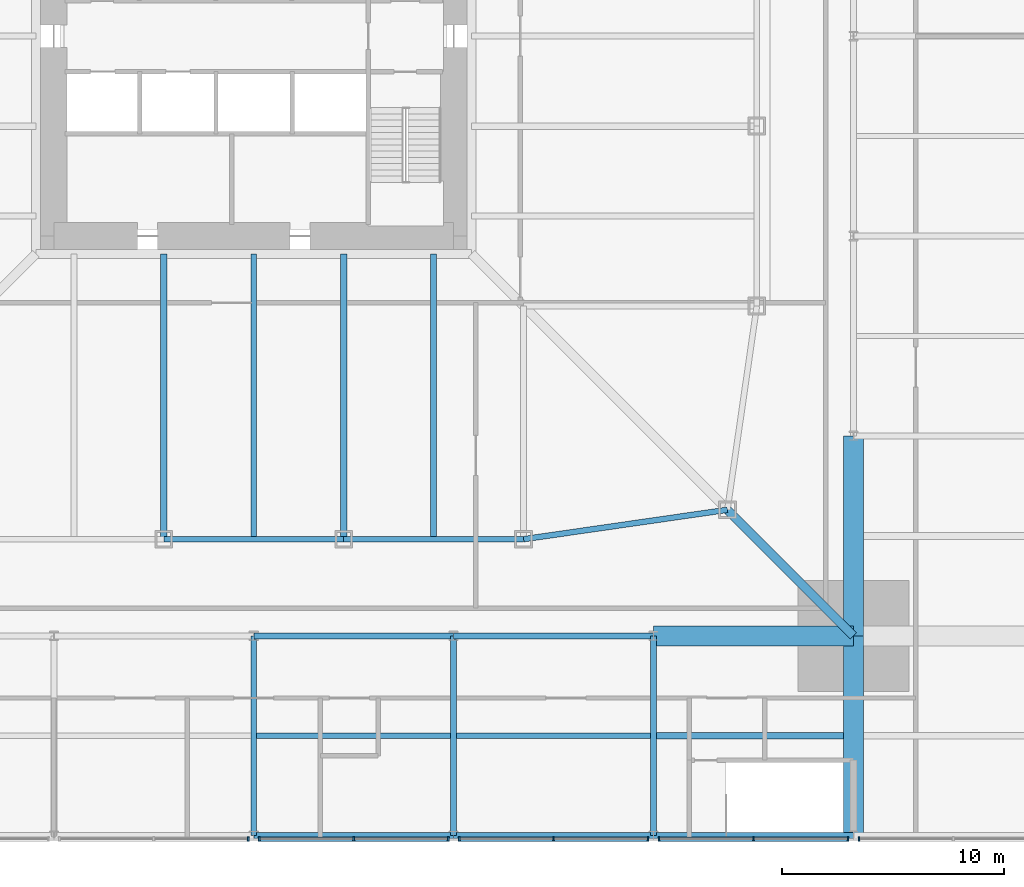
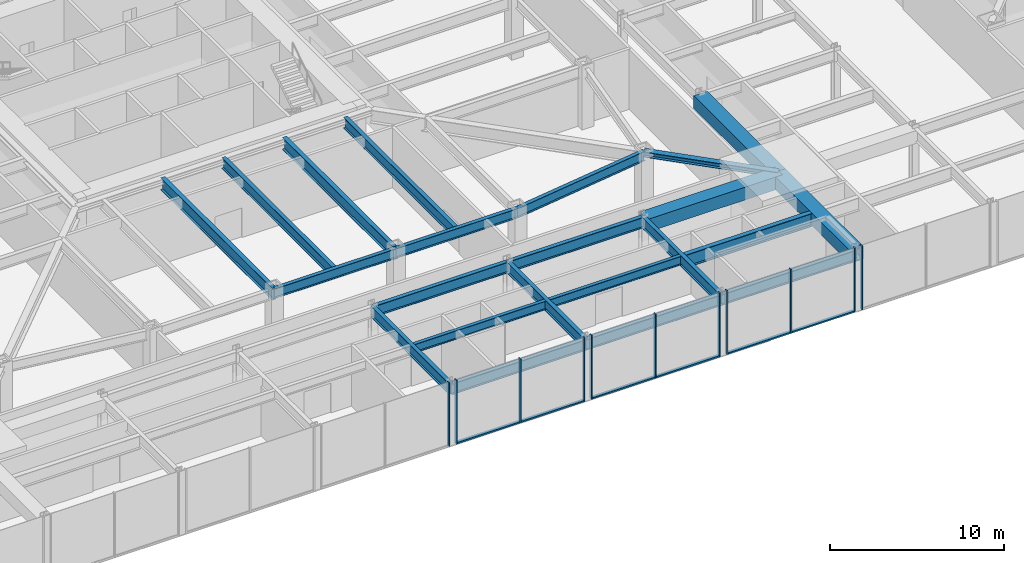
# One storey, part 8 of 30: 21 beams, 18 members, 5 elements without a shape of their own.
"""IFC4 building model written with IfcOpenShell, lengths in metres."""

from ifc_helpers import new_model, si_unit, direction, frame, origin, origin_2d, place, context, subcontext, project, spatial, rectangle, hollow_rectangle, i_section, extrude, material, material_profile, profile_set, type_object, element, aggregate, save


model = new_model("IFC4")

# Units and contexts
model_context = context("Model", 3, precision=1e-05, world=origin(), true_north=direction((0.0, 1.0)))
body_context = subcontext(model_context, "Body", "Model", "MODEL_VIEW")
ifc_project = project(units=[si_unit("LENGTHUNIT", "METRE"), si_unit("AREAUNIT", "SQUARE_METRE"), si_unit("VOLUMEUNIT", "CUBIC_METRE"), si_unit("PLANEANGLEUNIT", "RADIAN"), si_unit("MASSUNIT", "GRAM", prefix="KILO")], contexts=[model_context])

# Site, building, storey
site_placement = place(None, origin())
site = spatial("IfcSite", under=ifc_project, at=site_placement, CompositionType="ELEMENT")
building_placement = place(site_placement, origin())
building = spatial("IfcBuilding", under=site, at=building_placement, Name="Iwan Alto Co-Living Towers", CompositionType="ELEMENT")
storey_placement = place(building_placement, frame((0.0, 0.0, 10.5)))
storey = spatial("IfcBuildingStorey", under=building, at=storey_placement, Name="L02", CompositionType="ELEMENT", Elevation=10.5)

# Curtain wall, member
ifc_material_1 = material(Name="Bronze aluminium stick frame", Category="aluminium")
curtain_wall_type = type_object("IfcCurtainWallType", Name="CURTAIN WALL CW-E", PredefinedType="NOTDEFINED", material=ifc_material_1)
curtain_wall_1_placement = place(storey_placement, origin())
curtain_wall_1 = element("IfcCurtainWall", 1, at=curtain_wall_1_placement, inside=storey, type_object=curtain_wall_type, Name="Podium curtain wall S L02", PredefinedType="NOTDEFINED")
ifc_material_2 = material(Name="Aluminium 6063-T6 bronze anodised", Category="aluminium")
ifc_material_profile_1 = material_profile(ifc_material_2, rectangle(XDim=0.199951171875, YDim=0.080078125, at=origin_2d()), Name="AL 80X200")
ifc_profile_set_1 = profile_set([ifc_material_profile_1], Name="Aluminium 6063-T6 bronze anodised")
member_type_1 = type_object("IfcMemberType", Name="CW-E MULLION 80X200", PredefinedType="MULLION", material=ifc_profile_set_1)
member_1_placement = place(storey_placement, frame((-0.245849609375, -36.14990234375, 0.0), z_axis=(0.0, 0.0, 1.0), x_axis=(0.0, 1.0, 0.0)))
member_1 = element("IfcMember", 2, at=member_1_placement, type_object=member_type_1, Name="CW-E mullion 3", PredefinedType="MULLION", context=body_context, shape_type="SweptSolid", body=[
    extrude(rectangle(XDim=0.199951171875, YDim=0.080078125, at=origin_2d()), origin(), (0.0, 0.0, 1.0), 4.5),
])
aggregate(curtain_wall_1, [member_1])

# Curtain wall, members
curtain_wall_2_placement = place(storey_placement, origin())
curtain_wall_2 = element("IfcCurtainWall", 3, at=curtain_wall_2_placement, inside=storey, type_object=curtain_wall_type, Name="Podium curtain wall S L02", PredefinedType="NOTDEFINED")
member_2_placement = place(storey_placement, frame((0.245849609375, -36.14990234375, 0.0), z_axis=(0.0, 0.0, 1.0), x_axis=(0.0, 1.0, 0.0)))
member_2 = element("IfcMember", 4, at=member_2_placement, type_object=member_type_1, Name="CW-E mullion 1", PredefinedType="MULLION", context=body_context, shape_type="SweptSolid", body=[
    extrude(rectangle(XDim=0.199951171875, YDim=0.080078125, at=origin_2d()), origin(), (0.0, 0.0, 1.0), 4.5),
])
member_3_placement = place(storey_placement, frame((4.5, -36.14990234375, 0.0), z_axis=(0.0, 0.0, 1.0), x_axis=(0.0, 1.0, 0.0)))
member_3 = element("IfcMember", 5, at=member_3_placement, type_object=member_type_1, Name="CW-E mullion 2", PredefinedType="MULLION", context=body_context, shape_type="SweptSolid", body=[
    extrude(rectangle(XDim=0.199951171875, YDim=0.080078125, at=origin_2d()), origin(), (0.0, 0.0, 1.0), 4.5),
])
member_4_placement = place(storey_placement, frame((8.754150390625, -36.14990234375, 0.0), z_axis=(0.0, 0.0, 1.0), x_axis=(0.0, 1.0, 0.0)))
member_4 = element("IfcMember", 6, at=member_4_placement, type_object=member_type_1, Name="CW-E mullion 3", PredefinedType="MULLION", context=body_context, shape_type="SweptSolid", body=[
    extrude(rectangle(XDim=0.199951171875, YDim=0.080078125, at=origin_2d()), origin(), (0.0, 0.0, 1.0), 4.5),
])

curtain_wall_3_placement = place(storey_placement, origin())
curtain_wall_3 = element("IfcCurtainWall", 7, at=curtain_wall_3_placement, inside=storey, type_object=curtain_wall_type, Name="Podium curtain wall S L02", PredefinedType="NOTDEFINED")
member_5_placement = place(storey_placement, frame((9.245849609375, -36.14990234375, 0.0), z_axis=(0.0, 0.0, 1.0), x_axis=(0.0, 1.0, 0.0)))
member_5 = element("IfcMember", 8, at=member_5_placement, type_object=member_type_1, Name="CW-E mullion 1", PredefinedType="MULLION", context=body_context, shape_type="SweptSolid", body=[
    extrude(rectangle(XDim=0.199951171875, YDim=0.080078125, at=origin_2d()), origin(), (0.0, 0.0, 1.0), 4.5),
])
member_6_placement = place(storey_placement, frame((13.5, -36.14990234375, 0.0), z_axis=(0.0, 0.0, 1.0), x_axis=(0.0, 1.0, 0.0)))
member_6 = element("IfcMember", 9, at=member_6_placement, type_object=member_type_1, Name="CW-E mullion 2", PredefinedType="MULLION", context=body_context, shape_type="SweptSolid", body=[
    extrude(rectangle(XDim=0.199951171875, YDim=0.080078125, at=origin_2d()), origin(), (0.0, 0.0, 1.0), 4.5),
])
member_7_placement = place(storey_placement, frame((17.754150390625, -36.14990234375, 0.0), z_axis=(0.0, 0.0, 1.0), x_axis=(0.0, 1.0, 0.0)))
member_7 = element("IfcMember", 10, at=member_7_placement, type_object=member_type_1, Name="CW-E mullion 3", PredefinedType="MULLION", context=body_context, shape_type="SweptSolid", body=[
    extrude(rectangle(XDim=0.199951171875, YDim=0.080078125, at=origin_2d()), origin(), (0.0, 0.0, 1.0), 4.5),
])

curtain_wall_4_placement = place(storey_placement, origin())
curtain_wall_4 = element("IfcCurtainWall", 11, at=curtain_wall_4_placement, inside=storey, type_object=curtain_wall_type, Name="Podium curtain wall S L02", PredefinedType="NOTDEFINED")
member_8_placement = place(storey_placement, frame((18.245849609375, -36.14990234375, 0.0), z_axis=(0.0, 0.0, 1.0), x_axis=(0.0, 1.0, 0.0)))
member_8 = element("IfcMember", 12, at=member_8_placement, type_object=member_type_1, Name="CW-E mullion 1", PredefinedType="MULLION", context=body_context, shape_type="SweptSolid", body=[
    extrude(rectangle(XDim=0.199951171875, YDim=0.080078125, at=origin_2d()), origin(), (0.0, 0.0, 1.0), 4.5),
])
member_9_placement = place(storey_placement, frame((22.5, -36.14990234375, 0.0), z_axis=(0.0, 0.0, 1.0), x_axis=(0.0, 1.0, 0.0)))
member_9 = element("IfcMember", 13, at=member_9_placement, type_object=member_type_1, Name="CW-E mullion 2", PredefinedType="MULLION", context=body_context, shape_type="SweptSolid", body=[
    extrude(rectangle(XDim=0.199951171875, YDim=0.080078125, at=origin_2d()), origin(), (0.0, 0.0, 1.0), 4.5),
])
member_10_placement = place(storey_placement, frame((26.754150390625, -36.14990234375, 0.0), z_axis=(0.0, 0.0, 1.0), x_axis=(0.0, 1.0, 0.0)))
member_10 = element("IfcMember", 14, at=member_10_placement, type_object=member_type_1, Name="CW-E mullion 3", PredefinedType="MULLION", context=body_context, shape_type="SweptSolid", body=[
    extrude(rectangle(XDim=0.199951171875, YDim=0.080078125, at=origin_2d()), origin(), (0.0, 0.0, 1.0), 4.5),
])

# Curtain wall, member
curtain_wall_5_placement = place(storey_placement, origin())
curtain_wall_5 = element("IfcCurtainWall", 15, at=curtain_wall_5_placement, inside=storey, type_object=curtain_wall_type, Name="Podium curtain wall S L02", PredefinedType="NOTDEFINED")
member_11_placement = place(storey_placement, frame((27.245849609375, -36.14990234375, 0.0), z_axis=(0.0, 0.0, 1.0), x_axis=(0.0, 1.0, 0.0)))
member_11 = element("IfcMember", 16, at=member_11_placement, type_object=member_type_1, Name="CW-E mullion 1", PredefinedType="MULLION", context=body_context, shape_type="SweptSolid", body=[
    extrude(rectangle(XDim=0.199951171875, YDim=0.080078125, at=origin_2d()), origin(), (0.0, 0.0, 1.0), 4.5),
])
aggregate(curtain_wall_5, [member_11])

# Member
ifc_material_3 = material(Name="Aluminium 6063-T6 bronze anodised", Category="aluminium")
ifc_material_profile_2 = material_profile(ifc_material_3, rectangle(XDim=0.199951171875, YDim=0.10009765625, at=origin_2d()), Name="AL 200X100")
ifc_profile_set_2 = profile_set([ifc_material_profile_2], Name="Aluminium 6063-T6 bronze anodised")
member_type_2 = type_object("IfcMemberType", Name="CW-E TRANSOM 200X100", PredefinedType="USERDEFINED", material=ifc_profile_set_2)
member_12_placement = place(storey_placement, frame((0.28564453125, -36.14990234375, 0.050048828125), z_axis=(1.0, 0.0, 0.0), x_axis=(0.0, 1.0, 0.0)))
member_12 = element("IfcMember", 17, at=member_12_placement, type_object=member_type_2, Name="CW-E transom 1.1", ObjectType="TRANSOM", PredefinedType="USERDEFINED", context=body_context, shape_type="SweptSolid", body=[
    extrude(rectangle(XDim=0.199951171875, YDim=0.10009765625, at=origin_2d()), origin(), (0.0, 0.0, 1.0), 4.17431640625),
])

member_13_placement = place(storey_placement, frame((4.5400390625, -36.14990234375, 0.050048828125), z_axis=(1.0, 0.0, 0.0), x_axis=(0.0, 1.0, 0.0)))
member_13 = element("IfcMember", 18, at=member_13_placement, type_object=member_type_2, Name="CW-E transom 2.1", ObjectType="TRANSOM", PredefinedType="USERDEFINED", context=body_context, shape_type="SweptSolid", body=[
    extrude(rectangle(XDim=0.199951171875, YDim=0.10009765625, at=origin_2d()), origin(), (0.0, 0.0, 1.0), 4.17431640625),
])

aggregate(curtain_wall_2, [member_2, member_3, member_4, member_12, member_13])

member_14_placement = place(storey_placement, frame((9.28564453125, -36.14990234375, 0.050048828125), z_axis=(1.0, 0.0, 0.0), x_axis=(0.0, 1.0, 0.0)))
member_14 = element("IfcMember", 19, at=member_14_placement, type_object=member_type_2, Name="CW-E transom 1.1", ObjectType="TRANSOM", PredefinedType="USERDEFINED", context=body_context, shape_type="SweptSolid", body=[
    extrude(rectangle(XDim=0.199951171875, YDim=0.10009765625, at=origin_2d()), origin(), (0.0, 0.0, 1.0), 4.17431640625),
])

member_15_placement = place(storey_placement, frame((13.5400390625, -36.14990234375, 0.050048828125), z_axis=(1.0, 0.0, 0.0), x_axis=(0.0, 1.0, 0.0)))
member_15 = element("IfcMember", 20, at=member_15_placement, type_object=member_type_2, Name="CW-E transom 2.1", ObjectType="TRANSOM", PredefinedType="USERDEFINED", context=body_context, shape_type="SweptSolid", body=[
    extrude(rectangle(XDim=0.199951171875, YDim=0.10009765625, at=origin_2d()), origin(), (0.0, 0.0, 1.0), 4.17431640625),
])

aggregate(curtain_wall_3, [member_5, member_6, member_7, member_14, member_15])

member_16_placement = place(storey_placement, frame((18.28564453125, -36.14990234375, 0.050048828125), z_axis=(1.0, 0.0, 0.0), x_axis=(0.0, 1.0, 0.0)))
member_16 = element("IfcMember", 21, at=member_16_placement, type_object=member_type_2, Name="CW-E transom 1.1", ObjectType="TRANSOM", PredefinedType="USERDEFINED", context=body_context, shape_type="SweptSolid", body=[
    extrude(rectangle(XDim=0.199951171875, YDim=0.10009765625, at=origin_2d()), origin(), (0.0, 0.0, 1.0), 4.17431640625),
])

member_17_placement = place(storey_placement, frame((22.5400390625, -36.14990234375, 0.050048828125), z_axis=(1.0, 0.0, 0.0), x_axis=(0.0, 1.0, 0.0)))
member_17 = element("IfcMember", 22, at=member_17_placement, type_object=member_type_2, Name="CW-E transom 2.1", ObjectType="TRANSOM", PredefinedType="USERDEFINED", context=body_context, shape_type="SweptSolid", body=[
    extrude(rectangle(XDim=0.199951171875, YDim=0.10009765625, at=origin_2d()), origin(), (0.0, 0.0, 1.0), 4.17431640625),
])

aggregate(curtain_wall_4, [member_8, member_9, member_10, member_16, member_17])

# Beams
ifc_material_4 = material(Name="Steel ASTM A992 Gr 50", Category="steel")
ifc_material_profile_3 = material_profile(ifc_material_4, i_section(OverallWidth=0.2666015625, OverallDepth=0.76953125, WebThickness=0.015625, FlangeThickness=0.025390625, at=origin_2d()), Name="W30X132")
ifc_profile_set_3 = profile_set([ifc_material_profile_3], Name="Steel ASTM A992 Gr 50")
beam_type_1 = type_object("IfcBeamType", Name="PODIUM BEAM W30X132", PredefinedType="BEAM", material=ifc_profile_set_3)
for number, where, z_axis, x_axis, name in (
    (23, (0.0, -36.0, 3.865234375), (1.0, 0.0, 0.0), (0.0, 1.0, 0.0), "Podium beam 5/A-6/A L03"),
    (24, (0.0, -36.0, 3.865234375), (0.0, 1.0, 0.0), (-1.0, 0.0, 0.0), "Podium beam 5/A-5/B L03"),
    (25, (0.0, -27.0, 3.865234375), (1.0, 0.0, 0.0), (0.0, 1.0, 0.0), "Podium beam 5/B-6/B L03"),
    (26, (9.0, -36.0, 3.865234375), (1.0, 0.0, 0.0), (0.0, 1.0, 0.0), "Podium beam 6/A-7/A L03"),
    (27, (9.0, -36.0, 3.865234375), (0.0, 1.0, 0.0), (-1.0, 0.0, 0.0), "Podium beam 6/A-6/B L03"),
    (28, (9.0, -27.0, 3.865234375), (1.0, 0.0, 0.0), (0.0, 1.0, 0.0), "Podium beam 6/B-7/B L03"),
    (29, (18.0, -36.0, 3.865234375), (1.0, 0.0, 0.0), (0.0, 1.0, 0.0), "Podium beam 7/A-8/A L03"),
    (30, (18.0, -36.0, 3.865234375), (0.0, 1.0, 0.0), (-1.0, 0.0, 0.0), "Podium beam 7/A-7/B L03"),
):
    element("IfcBeam", number, at=place(storey_placement, frame(where, z_axis=z_axis, x_axis=x_axis)), inside=storey, type_object=beam_type_1, Name=name, PredefinedType="BEAM", context=body_context, shape_type="SweptSolid", body=[
        extrude(i_section(OverallWidth=0.2666015625, OverallDepth=0.76953125, WebThickness=0.015625, FlangeThickness=0.025390625, at=origin_2d()), origin(), (0.0, 0.0, 1.0), 9.0),
    ])
ifc_material_5 = material(Name="Steel ASTM A992 Gr 50", Category="steel")
ifc_material_profile_4 = material_profile(ifc_material_5, i_section(OverallWidth=0.307373046875, OverallDepth=0.927001953125, WebThickness=0.01953125, FlangeThickness=0.031982421875, at=origin_2d()), Name="W36X194")
ifc_profile_set_4 = profile_set([ifc_material_profile_4], Name="Steel ASTM A992 Gr 50")
beam_type_2 = type_object("IfcBeamType", Name="PODIUM PIER BAY SECONDARY BEAM W36X194", PredefinedType="JOIST", material=ifc_profile_set_4)
beam_1_placement = place(storey_placement, frame((18.13330078125, -31.5, 3.786376953125), z_axis=(1.0, 0.0, 0.0), x_axis=(0.0, 1.0, 0.0)))
element("IfcBeam", 31, at=beam_1_placement, inside=storey, type_object=beam_type_2, Name="Podium secondary beam 7/A L03", PredefinedType="JOIST", context=body_context, shape_type="SweptSolid", body=[
    extrude(i_section(OverallWidth=0.307373046875, OverallDepth=0.927001953125, WebThickness=0.01953125, FlangeThickness=0.031982421875, at=origin_2d()), origin(), (0.0, 0.0, 1.0), 8.416748046875),
])
ifc_material_6 = material(Name="Steel ASTM A572 Gr 50", Category="steel")
ifc_material_profile_5 = material_profile(ifc_material_6, hollow_rectangle(XDim=0.89990234375, YDim=0.89990234375, WallThickness=0.06005859375, at=origin_2d()), Name="BOX 900X900X60")
ifc_profile_set_5 = profile_set([ifc_material_profile_5], Name="Steel ASTM A572 Gr 50")
beam_type_3 = type_object("IfcBeamType", Name="PODIUM PIER BEAM BOX 900X900X60", PredefinedType="BEAM", material=ifc_profile_set_5)
for number, where, z_axis, x_axis, name in (
    (32, (18.0, -27.0, 3.800048828125), (1.0, 0.0, 0.0), (0.0, 1.0, 0.0), "Podium beam 7/B-8/B L03"),
    (33, (27.0, -36.0, 3.800048828125), (0.0, 1.0, 0.0), (-1.0, 0.0, 0.0), "Podium beam 8/A-8/B L03"),
    (34, (27.0, -27.0, 3.800048828125), (0.0, 1.0, 0.0), (-1.0, 0.0, 0.0), "Podium beam 8/B-8/C L03"),
):
    element("IfcBeam", number, at=place(storey_placement, frame(where, z_axis=z_axis, x_axis=x_axis)), inside=storey, type_object=beam_type_3, Name=name, PredefinedType="BEAM", context=body_context, shape_type="SweptSolid", body=[
        extrude(hollow_rectangle(XDim=0.89990234375, YDim=0.89990234375, WallThickness=0.06005859375, at=origin_2d()), origin(), (0.0, 0.0, 1.0), 9.0),
    ])
ifc_material_7 = material(Name="Steel ASTM A992 Gr 50", Category="steel")
ifc_material_profile_6 = material_profile(ifc_material_7, i_section(OverallWidth=0.23046875, OverallDepth=0.6171875, WebThickness=0.01318359375, FlangeThickness=0.022216796875, at=origin_2d()), Name="W24X94")
ifc_profile_set_6 = profile_set([ifc_material_profile_6], Name="Steel ASTM A992 Gr 50")
beam_type_4 = type_object("IfcBeamType", Name="PODIUM SECONDARY BEAM W24X94", PredefinedType="JOIST", material=ifc_profile_set_6)
for number, where, z_axis, x_axis, name in (
    (35, (0.13330078125, -31.5, 3.94140625), (1.0, 0.0, 0.0), (0.0, 1.0, 0.0), "Podium secondary beam 5/A L03"),
    (36, (9.13330078125, -31.5, 3.94140625), (1.0, 0.0, 0.0), (0.0, 1.0, 0.0), "Podium secondary beam 6/A L03"),
):
    element("IfcBeam", number, at=place(storey_placement, frame(where, z_axis=z_axis, x_axis=x_axis)), inside=storey, type_object=beam_type_4, Name=name, PredefinedType="JOIST", context=body_context, shape_type="SweptSolid", body=[
        extrude(i_section(OverallWidth=0.23046875, OverallDepth=0.6171875, WebThickness=0.01318359375, FlangeThickness=0.022216796875, at=origin_2d()), origin(), (0.0, 0.0, 1.0), 8.7333984375),
    ])
ifc_material_8 = material(Name="Steel ASTM A992 Gr 50", Category="steel")
ifc_material_profile_7 = material_profile(ifc_material_8, i_section(OverallWidth=0.25390625, OverallDepth=0.683349609375, WebThickness=0.012451171875, FlangeThickness=0.018798828125, at=origin_2d()), Name="W27X94")
ifc_profile_set_7 = profile_set([ifc_material_profile_7], Name="Steel ASTM A992 Gr 50")
beam_type_5 = type_object("IfcBeamType", Name="T1 EDGE BEAM W27X94", PredefinedType="BEAM", material=ifc_profile_set_7)
beam_2_placement = place(storey_placement, frame((-4.050048828125, -22.64990234375, 3.928466796875), z_axis=(1.0, 0.0, 0.0), x_axis=(0.0, 1.0, 0.0)))
element("IfcBeam", 37, at=beam_2_placement, inside=storey, type_object=beam_type_5, Name="T1 edge beam S2 L03", PredefinedType="BEAM", context=body_context, shape_type="SweptSolid", body=[
    extrude(i_section(OverallWidth=0.25390625, OverallDepth=0.683349609375, WebThickness=0.012451171875, FlangeThickness=0.018798828125, at=origin_2d()), origin(), (0.0, 0.0, 1.0), 8.10009765625),
])
beam_3_placement = place(storey_placement, frame((4.050048828125, -22.64990234375, 3.928466796875), z_axis=(1.0, 0.0, 0.0), x_axis=(0.0, 1.0, 0.0)))
element("IfcBeam", 38, at=beam_3_placement, inside=storey, type_object=beam_type_5, Name="T1 edge beam S3 L03", PredefinedType="BEAM", context=body_context, shape_type="SweptSolid", body=[
    extrude(i_section(OverallWidth=0.25390625, OverallDepth=0.683349609375, WebThickness=0.012451171875, FlangeThickness=0.018798828125, at=origin_2d()), origin(), (0.0, 0.0, 1.0), 8.099853515625),
])
beam_4_placement = place(storey_placement, frame((12.14990234375, -22.64990234375, 3.928466796875), z_axis=(0.989746234347, 0.142836940589, 0.0), x_axis=(-0.142836940589, 0.989746234347, 0.0)))
element("IfcBeam", 39, at=beam_4_placement, inside=storey, type_object=beam_type_5, Name="T1 edge beam S4 L03", PredefinedType="BEAM", context=body_context, shape_type="SweptSolid", body=[
    extrude(i_section(OverallWidth=0.25390625, OverallDepth=0.683349609375, WebThickness=0.012451171875, FlangeThickness=0.018798828125, at=origin_2d()), origin(), (0.0, 0.0, 1.0), 9.270751953125),
])

# Member
ifc_material_9 = material(Name="Steel ASTM A992 Gr 50", Category="steel")
ifc_material_profile_8 = material_profile(ifc_material_9, i_section(OverallWidth=0.393798828125, OverallDepth=0.3759765625, WebThickness=0.017333984375, FlangeThickness=0.027587890625, at=origin_2d()), Name="W14X145")
ifc_profile_set_8 = profile_set([ifc_material_profile_8], Name="Steel ASTM A992 Gr 50")
member_type_3 = type_object("IfcMemberType", Name="T1 MEGA COLUMN FLOOR TIE W14X145", PredefinedType="STRUT", material=ifc_profile_set_8)
member_18_placement = place(storey_placement, frame((27.0, -27.0, 4.08203125), z_axis=(-0.707106781187, 0.707106781187, 0.0), x_axis=(-0.707106781187, -0.707106781187, 0.0)))
element("IfcMember", 40, at=member_18_placement, inside=storey, type_object=member_type_3, Name="T1 mega column floor tie SE L03", PredefinedType="STRUT", context=body_context, shape_type="SweptSolid", body=[
    extrude(i_section(OverallWidth=0.393798828125, OverallDepth=0.3759765625, WebThickness=0.017333984375, FlangeThickness=0.027587890625, at=origin_2d()), origin(), (0.0, 0.0, 1.0), 8.024658203125),
])

# Beams
ifc_material_10 = material(Name="Steel ASTM A992 Gr 50", Category="steel")
ifc_material_profile_9 = material_profile(ifc_material_10, i_section(OverallWidth=0.2919921875, OverallDepth=0.8408203125, WebThickness=0.0146484375, FlangeThickness=0.021728515625, at=origin_2d()), Name="W33X130")
ifc_profile_set_9 = profile_set([ifc_material_profile_9], Name="Steel ASTM A992 Gr 50")
beam_type_6 = type_object("IfcBeamType", Name="T1 RADIAL BEAM W33X130", PredefinedType="BEAM", material=ifc_profile_set_9)
for number, where, z_axis, x_axis, name in (
    (41, (-4.050048828125, -22.64990234375, 3.849609375), (0.0, 1.0, 0.0), (-1.0, 0.0, 0.0), "T1 radial beam S2 L03"),
    (42, (4.050048828125, -22.64990234375, 3.849609375), (0.0, 1.0, 0.0), (-1.0, 0.0, 0.0), "T1 radial beam S3 L03"),
):
    element("IfcBeam", number, at=place(storey_placement, frame(where, z_axis=z_axis, x_axis=x_axis)), inside=storey, type_object=beam_type_6, Name=name, PredefinedType="BEAM", context=body_context, shape_type="SweptSolid", body=[
        extrude(i_section(OverallWidth=0.2919921875, OverallDepth=0.8408203125, WebThickness=0.0146484375, FlangeThickness=0.021728515625, at=origin_2d()), origin(), (0.0, 0.0, 1.0), 12.847900390625),
    ])
ifc_material_11 = material(Name="Steel ASTM A992 Gr 50", Category="steel")
ifc_material_profile_10 = material_profile(ifc_material_11, i_section(OverallWidth=0.2666015625, OverallDepth=0.761962890625, WebThickness=0.014404296875, FlangeThickness=0.021484375, at=origin_2d()), Name="W30X116")
ifc_profile_set_10 = profile_set([ifc_material_profile_10], Name="Steel ASTM A992 Gr 50")
beam_type_7 = type_object("IfcBeamType", Name="T1 SECONDARY BEAM W30X116", PredefinedType="JOIST", material=ifc_profile_set_10)
for number, where, z_axis, x_axis, name in (
    (43, (0.0, -22.64990234375, 3.888916015625), (0.0, 1.0, 0.0), (-1.0, 0.0, 0.0), "T1 secondary beam S2 L03"),
    (44, (8.10009765625, -22.64990234375, 3.888916015625), (0.0, 1.0, 0.0), (-1.0, 0.0, 0.0), "T1 secondary beam S3 L03"),
):
    element("IfcBeam", number, at=place(storey_placement, frame(where, z_axis=z_axis, x_axis=x_axis)), inside=storey, type_object=beam_type_7, Name=name, PredefinedType="JOIST", context=body_context, shape_type="SweptSolid", body=[
        extrude(i_section(OverallWidth=0.2666015625, OverallDepth=0.761962890625, WebThickness=0.014404296875, FlangeThickness=0.021484375, at=origin_2d()), origin(), (0.0, 0.0, 1.0), 12.847900390625),
    ])

save(model, "model.ifc")
